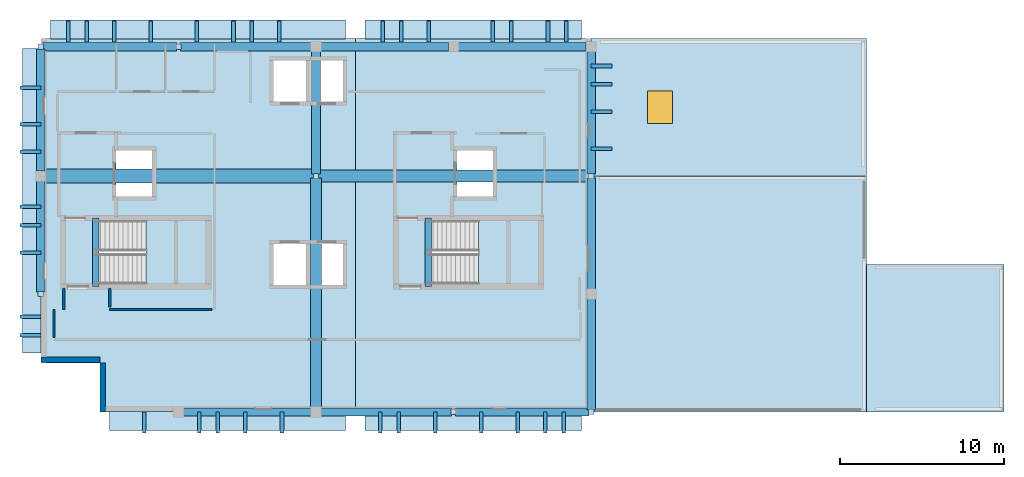
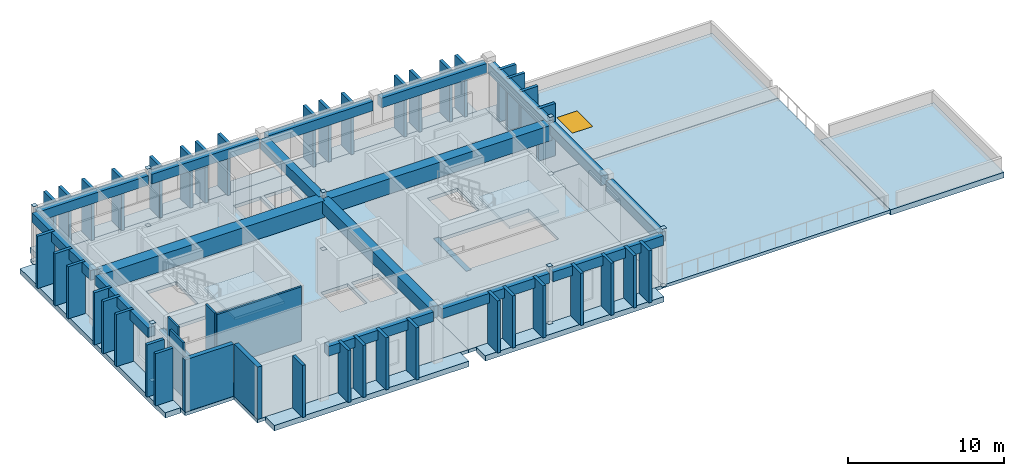
# One storey, part 2 of 7: 39 members, 18 beams, 14 plates, 12 slabs, 6 walls, 1 window, 1 opening, 2 elements without a shape of their own.
"""IFC4 building model written with IfcOpenShell, lengths in metres."""

from ifc_helpers import new_model, si_unit, direction, frame, frame_2d, origin, origin_2d, place, context, subcontext, project, spatial, polyline, rectangle, outline, extrude, material, layer, layer_set, material_profile, profile_set, type_object, element, fill, aggregate, save


model = new_model("IFC4")

# Units and contexts
model_context = context("Model", 3, precision=1e-05, world=origin(), true_north=direction((0.0, 1.0)))
body_context = subcontext(model_context, "Body", "Model", "MODEL_VIEW")
ifc_project = project(units=[si_unit("LENGTHUNIT", "METRE"), si_unit("AREAUNIT", "SQUARE_METRE"), si_unit("VOLUMEUNIT", "CUBIC_METRE"), si_unit("PLANEANGLEUNIT", "RADIAN"), si_unit("MASSUNIT", "GRAM", prefix="KILO")], contexts=[model_context])

# Site, building, storey
site_placement = place(None, origin())
site = spatial("IfcSite", under=ifc_project, at=site_placement, CompositionType="ELEMENT")
building_placement = place(site_placement, origin())
building = spatial("IfcBuilding", under=site, at=building_placement, Name="Quendrovan Civic Courthouse", CompositionType="ELEMENT")
storey_placement = place(building_placement, frame((0.0, 0.0, 40.199951171875)))
storey = spatial("IfcBuildingStorey", under=building, at=storey_placement, Name="L09", CompositionType="ELEMENT", Elevation=40.199951171875)

# Beams
ifc_material_1 = material(Name="Post-tensioned concrete C50/60", Category="concrete")
ifc_material_profile_1 = material_profile(ifc_material_1, rectangle(XDim=0.75, YDim=1.199951171875, at=origin_2d()), Name="PT-GIRD-750x1200")
ifc_profile_set_1 = profile_set([ifc_material_profile_1], Name="Post-tensioned concrete C50/60")
beam_type_1 = type_object("IfcBeamType", Name="BM-PT1200", PredefinedType="BEAM", material=ifc_profile_set_1)
beam_1_placement = place(storey_placement, frame((50.530029296875, 102.0, 3.4599609375), z_axis=(1.0, 0.0, 0.0), x_axis=(0.0, 1.0, 0.0)))
element("IfcBeam", 1, at=beam_1_placement, inside=storey, type_object=beam_type_1, Name="L09 Girder X1184", PredefinedType="BEAM", context=body_context, shape_type="SweptSolid", body=[
    extrude(rectangle(XDim=0.75, YDim=1.199951171875, at=origin_2d()), origin(), (0.0, 0.0, 1.0), 16.5400390625),
])
ifc_material_profile_2 = material_profile(ifc_material_1, rectangle(XDim=0.85009765625, YDim=1.300048828125, at=origin_2d()), Name="PT-GRD-850x1300")
ifc_profile_set_2 = profile_set([ifc_material_profile_2], Name="Post-tensioned concrete C50/60")
beam_type_2 = type_object("IfcBeamType", Name="BM-PT1300", PredefinedType="BEAM", material=ifc_profile_set_2)
beam_2_placement = place(storey_placement, frame((33.905029296875, 102.0, 3.41015625), z_axis=(1.0, 0.0, 0.0), x_axis=(0.0, 1.0, 0.0)))
element("IfcBeam", 2, at=beam_2_placement, inside=storey, type_object=beam_type_2, Name="L09 Girder X1183", PredefinedType="BEAM", context=body_context, shape_type="SweptSolid", body=[
    extrude(rectangle(XDim=0.85009765625, YDim=1.300048828125, at=origin_2d()), origin(), (0.0, 0.0, 1.0), 16.364990234375),
])
ifc_material_profile_3 = material_profile(ifc_material_1, rectangle(XDim=0.64990234375, YDim=0.949951171875, at=origin_2d()), Name="PT-GIRD-650x950")
ifc_profile_set_3 = profile_set([ifc_material_profile_3], Name="Post-tensioned concrete C50/60")
beam_type_3 = type_object("IfcBeamType", Name="BM-PT950", PredefinedType="BEAM", material=ifc_profile_set_3)
beam_3_placement = place(storey_placement, frame((50.39990234375, 87.905029296875, 3.5849609375), z_axis=(0.0, 1.0, 0.0), x_axis=(-1.0, 0.0, 0.0)))
element("IfcBeam", 3, at=beam_3_placement, inside=storey, type_object=beam_type_3, Name="L09 Girder Y1191", PredefinedType="BEAM", context=body_context, shape_type="SweptSolid", body=[
    extrude(rectangle(XDim=0.64990234375, YDim=0.949951171875, at=origin_2d()), origin(), (0.0, 0.0, 1.0), 13.965087890625),
])
ifc_material_2 = material(Name="Concrete C40/50", Category="concrete")
ifc_material_profile_4 = material_profile(ifc_material_2, rectangle(XDim=0.39990234375, YDim=0.64990234375, at=origin_2d()), Name="RC-BM-400x650")
ifc_profile_set_4 = profile_set([ifc_material_profile_4], Name="Concrete C40/50")
beam_type_4 = type_object("IfcBeamType", Name="BM-RC650", PredefinedType="JOIST", material=ifc_profile_set_4)
for number, where, z_axis, x_axis, name in (
    (4, (36.949951171875, 95.25, -0.324951171875), (0.0, 1.0, 0.0), (-1.0, 0.0, 0.0), "L09 Stair ST1 Landing Trimmer Beam"),
    (5, (57.25, 95.25, -0.324951171875), (0.0, 1.0, 0.0), (-1.0, 0.0, 0.0), "L09 Stair ST2 Landing Trimmer Beam"),
):
    element("IfcBeam", number, at=place(storey_placement, frame(where, z_axis=z_axis, x_axis=x_axis)), inside=storey, type_object=beam_type_4, Name=name, PredefinedType="JOIST", context=body_context, shape_type="SweptSolid", body=[
        extrude(rectangle(XDim=0.39990234375, YDim=0.64990234375, at=origin_2d()), origin(), (0.0, 0.0, 1.0), 4.199951171875),
    ])
ifc_material_profile_5 = material_profile(ifc_material_2, rectangle(XDim=0.5, YDim=0.75, at=origin_2d()), Name="RC-BM-500x750")
ifc_profile_set_5 = profile_set([ifc_material_profile_5], Name="Concrete C40/50")
beam_type_5 = type_object("IfcBeamType", Name="BM-RC750", PredefinedType="SPANDREL", material=ifc_profile_set_5)
beam_4_placement = place(storey_placement, frame((42.304931640625, 87.60009765625, 3.68505859375), z_axis=(1.0, 0.0, 0.0), x_axis=(0.0, 1.0, 0.0)))
element("IfcBeam", 6, at=beam_4_placement, inside=storey, type_object=beam_type_5, Name="L09 Girder X1180", PredefinedType="SPANDREL", context=body_context, shape_type="SweptSolid", body=[
    extrude(rectangle(XDim=0.5, YDim=0.75, at=origin_2d()), origin(), (0.0, 0.0, 1.0), 7.7900390625),
])
beam_5_placement = place(storey_placement, frame((50.705078125, 87.60009765625, 3.68505859375), z_axis=(1.0, 0.0, 0.0), x_axis=(0.0, 1.0, 0.0)))
element("IfcBeam", 7, at=beam_5_placement, inside=storey, type_object=beam_type_5, Name="L09 Girder X1181", PredefinedType="SPANDREL", context=body_context, shape_type="SweptSolid", body=[
    extrude(rectangle(XDim=0.5, YDim=0.75, at=origin_2d()), origin(), (0.0, 0.0, 1.0), 7.96484375),
])
for number, where, z_axis, x_axis, name in (
    (8, (58.929931640625, 87.60009765625, 3.68505859375), (1.0, 0.0, 0.0), (0.0, 1.0, 0.0), "L09 Girder X1182"),
    (9, (33.72998046875, 109.89990234375, 3.68505859375), (1.0, 0.0, 0.0), (0.0, 1.0, 0.0), "L09 Girder X1185"),
):
    element("IfcBeam", number, at=place(storey_placement, frame(where, z_axis=z_axis, x_axis=x_axis)), inside=storey, type_object=beam_type_5, Name=name, PredefinedType="SPANDREL", context=body_context, shape_type="SweptSolid", body=[
        extrude(rectangle(XDim=0.5, YDim=0.75, at=origin_2d()), origin(), (0.0, 0.0, 1.0), 8.14013671875),
    ])
beam_6_placement = place(storey_placement, frame((42.1298828125, 109.89990234375, 3.68505859375), z_axis=(1.0, 0.0, 0.0), x_axis=(0.0, 1.0, 0.0)))
element("IfcBeam", 10, at=beam_6_placement, inside=storey, type_object=beam_type_5, Name="L09 Girder X1186", PredefinedType="SPANDREL", context=body_context, shape_type="SweptSolid", body=[
    extrude(rectangle(XDim=0.5, YDim=0.75, at=origin_2d()), origin(), (0.0, 0.0, 1.0), 7.965087890625),
])
for number, where, z_axis, x_axis, name in (
    (11, (50.705078125, 109.89990234375, 3.68505859375), (1.0, 0.0, 0.0), (0.0, 1.0, 0.0), "L09 Girder X1187"),
    (12, (59.10498046875, 109.89990234375, 3.68505859375), (1.0, 0.0, 0.0), (0.0, 1.0, 0.0), "L09 Girder X1188"),
):
    element("IfcBeam", number, at=place(storey_placement, frame(where, z_axis=z_axis, x_axis=x_axis)), inside=storey, type_object=beam_type_5, Name=name, PredefinedType="SPANDREL", context=body_context, shape_type="SweptSolid", body=[
        extrude(rectangle(XDim=0.5, YDim=0.75, at=origin_2d()), origin(), (0.0, 0.0, 1.0), 7.7900390625),
    ])
beam_7_placement = place(storey_placement, frame((33.60009765625, 94.929931640625, 3.68505859375), z_axis=(0.0, 1.0, 0.0), x_axis=(-1.0, 0.0, 0.0)))
element("IfcBeam", 13, at=beam_7_placement, inside=storey, type_object=beam_type_5, Name="L09 Girder Y1189", PredefinedType="SPANDREL", context=body_context, shape_type="SweptSolid", body=[
    extrude(rectangle(XDim=0.5, YDim=0.75, at=origin_2d()), origin(), (0.0, 0.0, 1.0), 6.76513671875),
])
beam_8_placement = place(storey_placement, frame((33.60009765625, 102.304931640625, 3.68505859375), z_axis=(0.0, 1.0, 0.0), x_axis=(-1.0, 0.0, 0.0)))
element("IfcBeam", 14, at=beam_8_placement, inside=storey, type_object=beam_type_5, Name="L09 Girder Y1190", PredefinedType="SPANDREL", context=body_context, shape_type="SweptSolid", body=[
    extrude(rectangle(XDim=0.5, YDim=0.75, at=origin_2d()), origin(), (0.0, 0.0, 1.0), 7.465087890625),
])
for number, where, z_axis, x_axis, name in (
    (15, (67.199951171875, 87.72998046875, 3.68505859375), (0.0, 1.0, 0.0), (-1.0, 0.0, 0.0), "L09 Girder Y1193"),
    (16, (67.199951171875, 95.10498046875, 3.68505859375), (0.0, 1.0, 0.0), (-1.0, 0.0, 0.0), "L09 Girder Y1194"),
):
    element("IfcBeam", number, at=place(storey_placement, frame(where, z_axis=z_axis, x_axis=x_axis)), inside=storey, type_object=beam_type_5, Name=name, PredefinedType="SPANDREL", context=body_context, shape_type="SweptSolid", body=[
        extrude(rectangle(XDim=0.5, YDim=0.75, at=origin_2d()), origin(), (0.0, 0.0, 1.0), 6.76513671875),
    ])
beam_9_placement = place(storey_placement, frame((67.199951171875, 102.1298828125, 3.68505859375), z_axis=(0.0, 1.0, 0.0), x_axis=(-1.0, 0.0, 0.0)))
element("IfcBeam", 17, at=beam_9_placement, inside=storey, type_object=beam_type_5, Name="L09 Girder Y1195", PredefinedType="SPANDREL", context=body_context, shape_type="SweptSolid", body=[
    extrude(rectangle(XDim=0.5, YDim=0.75, at=origin_2d()), origin(), (0.0, 0.0, 1.0), 7.465087890625),
])
ifc_material_profile_6 = material_profile(ifc_material_2, rectangle(XDim=0.550048828125, YDim=0.800048828125, at=origin_2d()), Name="RC-BM-550x800")
ifc_profile_set_6 = profile_set([ifc_material_profile_6], Name="Concrete C40/50")
beam_type_6 = type_object("IfcBeamType", Name="BM-RC800", PredefinedType="BEAM", material=ifc_profile_set_6)
beam_10_placement = place(storey_placement, frame((50.39990234375, 102.1298828125, 3.66015625), z_axis=(0.0, 1.0, 0.0), x_axis=(-1.0, 0.0, 0.0)))
element("IfcBeam", 18, at=beam_10_placement, inside=storey, type_object=beam_type_6, Name="L09 Girder Y1192", PredefinedType="BEAM", context=body_context, shape_type="SweptSolid", body=[
    extrude(rectangle(XDim=0.550048828125, YDim=0.800048828125, at=origin_2d()), origin(), (0.0, 0.0, 1.0), 7.465087890625),
])

# Members
ifc_material_3 = material(Name="Precast concrete C45/55", Category="concrete")
ifc_material_profile_7 = material_profile(ifc_material_3, rectangle(XDim=0.219970703125, YDim=1.280029296875, at=origin_2d()), Name="PC-FIN-220x1280")
ifc_profile_set_7 = profile_set([ifc_material_profile_7], Name="Precast concrete C45/55")
member_type = type_object("IfcMemberType", Name="MEM-PC-FIN1280", PredefinedType="USERDEFINED", material=ifc_profile_set_7)
for number, where, z_axis, x_axis, name in (
    (19, (54.47998046875, 110.83203125, 0.0), (0.0, 0.0, 1.0), (1.0, 0.0, 0.0), "L09 Precast Concrete Facade Fin 0235"),
    (20, (55.60009765625, 110.83203125, 0.0), (0.0, 0.0, 1.0), (1.0, 0.0, 0.0), "L09 Precast Concrete Facade Fin 0236"),
    (21, (57.280029296875, 110.83203125, 0.0), (0.0, 0.0, 1.0), (1.0, 0.0, 0.0), "L09 Precast Concrete Facade Fin 0237"),
    (22, (61.199951171875, 110.83203125, 0.0), (0.0, 0.0, 1.0), (1.0, 0.0, 0.0), "L09 Precast Concrete Facade Fin 0238"),
    (23, (62.320068359375, 110.83203125, 0.0), (0.0, 0.0, 1.0), (1.0, 0.0, 0.0), "L09 Precast Concrete Facade Fin 0239"),
    (24, (64.56005859375, 110.83203125, 0.0), (0.0, 0.0, 1.0), (1.0, 0.0, 0.0), "L09 Precast Concrete Facade Fin 0240"),
    (25, (65.679931640625, 110.83203125, 0.0), (0.0, 0.0, 1.0), (1.0, 0.0, 0.0), "L09 Precast Concrete Facade Fin 0241"),
    (26, (67.83203125, 108.719970703125, 0.0), (0.0, 0.0, 1.0), (0.0, -1.0, 0.0), "L09 Precast Concrete Facade Fin 0242"),
    (27, (67.83203125, 107.60009765625, 0.0), (0.0, 0.0, 1.0), (0.0, -1.0, 0.0), "L09 Precast Concrete Facade Fin 0243"),
    (28, (67.83203125, 105.919921875, 0.0), (0.0, 0.0, 1.0), (0.0, -1.0, 0.0), "L09 Precast Concrete Facade Fin 0244"),
    (29, (67.83203125, 103.679931640625, 0.0), (0.0, 0.0, 1.0), (0.0, -1.0, 0.0), "L09 Precast Concrete Facade Fin 0245"),
    (30, (65.52001953125, 86.968017578125, 0.0), (0.0, 0.0, 1.0), (-1.0, 0.0, 0.0), "L09 Precast Concrete Facade Fin 0246"),
    (31, (64.39990234375, 86.968017578125, 0.0), (0.0, 0.0, 1.0), (-1.0, 0.0, 0.0), "L09 Precast Concrete Facade Fin 0247"),
    (32, (62.719970703125, 86.968017578125, 0.0), (0.0, 0.0, 1.0), (-1.0, 0.0, 0.0), "L09 Precast Concrete Facade Fin 0248"),
    (33, (60.47998046875, 86.968017578125, 0.0), (0.0, 0.0, 1.0), (-1.0, 0.0, 0.0), "L09 Precast Concrete Facade Fin 0249"),
    (34, (57.679931640625, 86.968017578125, 0.0), (0.0, 0.0, 1.0), (-1.0, 0.0, 0.0), "L09 Precast Concrete Facade Fin 0250"),
    (35, (55.43994140625, 86.968017578125, 0.0), (0.0, 0.0, 1.0), (-1.0, 0.0, 0.0), "L09 Precast Concrete Facade Fin 0251"),
    (36, (54.320068359375, 86.968017578125, 0.0), (0.0, 0.0, 1.0), (-1.0, 0.0, 0.0), "L09 Precast Concrete Facade Fin 0252"),
    (37, (48.320068359375, 86.968017578125, 0.0), (0.0, 0.0, 1.0), (-1.0, 0.0, 0.0), "L09 Precast Concrete Facade Fin 0253"),
    (38, (46.080078125, 86.968017578125, 0.0), (0.0, 0.0, 1.0), (-1.0, 0.0, 0.0), "L09 Precast Concrete Facade Fin 0254"),
    (39, (44.39990234375, 86.968017578125, 0.0), (0.0, 0.0, 1.0), (-1.0, 0.0, 0.0), "L09 Precast Concrete Facade Fin 0255"),
    (40, (43.280029296875, 86.968017578125, 0.0), (0.0, 0.0, 1.0), (-1.0, 0.0, 0.0), "L09 Precast Concrete Facade Fin 0256"),
    (41, (39.919921875, 86.968017578125, 0.0), (0.0, 0.0, 1.0), (-1.0, 0.0, 0.0), "L09 Precast Concrete Facade Fin 0257"),
    (42, (32.968017578125, 92.280029296875, 0.0), (0.0, 0.0, 1.0), (0.0, 1.0, 0.0), "L09 Precast Concrete Facade Fin 0258"),
    (43, (32.968017578125, 93.39990234375, 0.0), (0.0, 0.0, 1.0), (0.0, 1.0, 0.0), "L09 Precast Concrete Facade Fin 0259"),
    (44, (32.968017578125, 97.320068359375, 0.0), (0.0, 0.0, 1.0), (0.0, 1.0, 0.0), "L09 Precast Concrete Facade Fin 0260"),
    (45, (32.968017578125, 99.0, 0.0), (0.0, 0.0, 1.0), (0.0, 1.0, 0.0), "L09 Precast Concrete Facade Fin 0261"),
    (46, (32.968017578125, 100.1201171875, 0.0), (0.0, 0.0, 1.0), (0.0, 1.0, 0.0), "L09 Precast Concrete Facade Fin 0262"),
    (47, (32.968017578125, 103.47998046875, 0.0), (0.0, 0.0, 1.0), (0.0, 1.0, 0.0), "L09 Precast Concrete Facade Fin 0263"),
    (48, (32.968017578125, 105.159912109375, 0.0), (0.0, 0.0, 1.0), (0.0, 1.0, 0.0), "L09 Precast Concrete Facade Fin 0264"),
    (49, (32.968017578125, 107.39990234375, 0.0), (0.0, 0.0, 1.0), (0.0, 1.0, 0.0), "L09 Precast Concrete Facade Fin 0265"),
    (50, (35.280029296875, 110.83203125, 0.0), (0.0, 0.0, 1.0), (1.0, 0.0, 0.0), "L09 Precast Concrete Facade Fin 0266"),
    (51, (36.39990234375, 110.83203125, 0.0), (0.0, 0.0, 1.0), (1.0, 0.0, 0.0), "L09 Precast Concrete Facade Fin 0267"),
    (52, (38.080078125, 110.83203125, 0.0), (0.0, 0.0, 1.0), (1.0, 0.0, 0.0), "L09 Precast Concrete Facade Fin 0268"),
    (53, (40.320068359375, 110.83203125, 0.0), (0.0, 0.0, 1.0), (1.0, 0.0, 0.0), "L09 Precast Concrete Facade Fin 0269"),
    (54, (43.1201171875, 110.83203125, 0.0), (0.0, 0.0, 1.0), (1.0, 0.0, 0.0), "L09 Precast Concrete Facade Fin 0270"),
    (55, (45.360107421875, 110.83203125, 0.0), (0.0, 0.0, 1.0), (1.0, 0.0, 0.0), "L09 Precast Concrete Facade Fin 0271"),
    (56, (46.47998046875, 110.83203125, 0.0), (0.0, 0.0, 1.0), (1.0, 0.0, 0.0), "L09 Precast Concrete Facade Fin 0272"),
    (57, (48.159912109375, 110.83203125, 0.0), (0.0, 0.0, 1.0), (1.0, 0.0, 0.0), "L09 Precast Concrete Facade Fin 0273"),
):
    element("IfcMember", number, at=place(storey_placement, frame(where, z_axis=z_axis, x_axis=x_axis)), inside=storey, type_object=member_type, Name=name, ObjectType="PRECAST FACADE FIN", PredefinedType="USERDEFINED", context=body_context, shape_type="SweptSolid", body=[
        extrude(rectangle(XDim=0.219970703125, YDim=1.280029296875, at=origin_2d()), origin(), (0.0, 0.0, 1.0), 4.080078125),
    ])

# Plates
ifc_material_4 = material(Name="Steel ASTM A572 Grade 50", Category="steel")
ifc_layer_1 = layer(ifc_material_4, 0.011962890625, Name="Steel ASTM A572 Grade 50")
ifc_layer_set_1 = layer_set([ifc_layer_1], Name="Steel ASTM A572 Grade 50")
plate_type = type_object("IfcPlateType", Name="PLT-CAP-12", PredefinedType="SHEET", material=ifc_layer_set_1)
for number, where, z_axis, x_axis, name in (
    (58, (33.60009765625, 94.800048828125, 4.5), (0.0, 0.0, 1.0), (1.0, 0.0, 0.0), "L09 Hollow Column End Cap Plate COL-L09-5-N-TOP"),
    (59, (33.60009765625, 94.800048828125, -0.01171875), (0.0, 0.0, 1.0), (1.0, 0.0, 0.0), "L09 Hollow Column End Cap Plate COL-L09-5-N-BOT"),
    (60, (33.60009765625, 109.89990234375, 4.5), (0.0, 0.0, 1.0), (1.0, 0.0, 0.0), "L09 Hollow Column End Cap Plate COL-L09-5-Q-TOP"),
    (61, (33.60009765625, 109.89990234375, -0.01171875), (0.0, 0.0, 1.0), (1.0, 0.0, 0.0), "L09 Hollow Column End Cap Plate COL-L09-5-Q-BOT"),
    (62, (42.0, 109.89990234375, 4.5), (0.0, 0.0, 1.0), (1.0, 0.0, 0.0), "L09 Hollow Column End Cap Plate COL-L09-6-Q-TOP"),
    (63, (42.0, 109.89990234375, -0.01171875), (0.0, 0.0, 1.0), (1.0, 0.0, 0.0), "L09 Hollow Column End Cap Plate COL-L09-6-Q-BOT"),
    (64, (50.39990234375, 102.0, 4.5), (0.0, 0.0, 1.0), (1.0, 0.0, 0.0), "L09 Hollow Column End Cap Plate COL-L09-7-P-TOP"),
    (65, (50.39990234375, 102.0, -0.01171875), (0.0, 0.0, 1.0), (1.0, 0.0, 0.0), "L09 Hollow Column End Cap Plate COL-L09-7-P-BOT"),
    (66, (58.800048828125, 87.60009765625, 4.5), (0.0, 0.0, 1.0), (1.0, 0.0, 0.0), "L09 Hollow Column End Cap Plate COL-L09-8-M-TOP"),
    (67, (58.800048828125, 87.60009765625, -0.01171875), (0.0, 0.0, 1.0), (1.0, 0.0, 0.0), "L09 Hollow Column End Cap Plate COL-L09-8-M-BOT"),
    (68, (67.199951171875, 87.60009765625, 4.5), (0.0, 0.0, 1.0), (1.0, 0.0, 0.0), "L09 Hollow Column End Cap Plate COL-L09-9-M-TOP"),
    (69, (67.199951171875, 87.60009765625, -0.01171875), (0.0, 0.0, 1.0), (1.0, 0.0, 0.0), "L09 Hollow Column End Cap Plate COL-L09-9-M-BOT"),
    (70, (67.199951171875, 102.0, 4.5), (0.0, 0.0, 1.0), (1.0, 0.0, 0.0), "L09 Hollow Column End Cap Plate COL-L09-9-P-TOP"),
    (71, (67.199951171875, 102.0, -0.01171875), (0.0, 0.0, 1.0), (1.0, 0.0, 0.0), "L09 Hollow Column End Cap Plate COL-L09-9-P-BOT"),
):
    element("IfcPlate", number, at=place(storey_placement, frame(where, z_axis=z_axis, x_axis=x_axis)), inside=storey, type_object=plate_type, Name=name, PredefinedType="SHEET", context=body_context, shape_type="SweptSolid", body=[
        extrude(rectangle(XDim=0.320068359375, YDim=0.320068359375, at=origin_2d()), origin(), (0.0, 0.0, 1.0), 0.011962890625),
    ])

# Slabs
ifc_material_5 = material(Name="Precast limestone concrete C45/55", Category="masonry")
ifc_layer_2 = layer(ifc_material_5, 0.419921875, Name="Precast limestone concrete C45/55")
ifc_layer_set_2 = layer_set([ifc_layer_2], Name="Precast limestone concrete C45/55")
slab_type_1 = type_object("IfcSlabType", Name="SLB-LEDGE-420", PredefinedType="FLOOR", material=ifc_layer_set_2)
slab_1_placement = place(storey_placement, frame((0.0, 0.0, -0.419921875)))
element("IfcSlab", 72, at=slab_1_placement, inside=storey, type_object=slab_type_1, Name="L09 Precast Architectural Spandrel Fin Shelf 523-0", PredefinedType="FLOOR", context=body_context, shape_type="SweptSolid", body=[
    extrude(outline(polyline([(53.39990234375, 111.528076171875), (66.60009765625, 111.528076171875), (66.60009765625, 110.3779296875), (53.39990234375, 110.3779296875), (53.39990234375, 111.528076171875)])), origin(), (0.0, 0.0, 1.0), 0.419921875),
])
slab_2_placement = place(storey_placement, frame((0.0, 0.0, -0.419921875)))
element("IfcSlab", 73, at=slab_2_placement, inside=storey, type_object=slab_type_1, Name="L09 Precast Architectural Spandrel Fin Shelf 525-0", PredefinedType="FLOOR", context=body_context, shape_type="SweptSolid", body=[
    extrude(outline(polyline([(66.60009765625, 86.471923828125), (53.39990234375, 86.471923828125), (53.39990234375, 87.6220703125), (66.60009765625, 87.6220703125), (66.60009765625, 86.471923828125)])), origin(), (0.0, 0.0, 1.0), 0.419921875),
])
slab_3_placement = place(storey_placement, frame((0.0, 0.0, -0.419921875)))
element("IfcSlab", 74, at=slab_3_placement, inside=storey, type_object=slab_type_1, Name="L09 Precast Architectural Spandrel Fin Shelf 526-0", PredefinedType="FLOOR", context=body_context, shape_type="SweptSolid", body=[
    extrude(outline(polyline([(52.199951171875, 86.471923828125), (37.800048828125, 86.471923828125), (37.800048828125, 87.6220703125), (52.199951171875, 87.6220703125), (52.199951171875, 86.471923828125)])), origin(), (0.0, 0.0, 1.0), 0.419921875),
])
slab_4_placement = place(storey_placement, frame((0.0, 0.0, -0.419921875)))
element("IfcSlab", 75, at=slab_4_placement, inside=storey, type_object=slab_type_1, Name="L09 Precast Architectural Spandrel Fin Shelf 529-0", PredefinedType="FLOOR", context=body_context, shape_type="SweptSolid", body=[
    extrude(outline(polyline([(32.471923828125, 91.199951171875), (32.471923828125, 109.800048828125), (33.6220703125, 109.800048828125), (33.6220703125, 91.199951171875), (32.471923828125, 91.199951171875)])), origin(), (0.0, 0.0, 1.0), 0.419921875),
])
slab_5_placement = place(storey_placement, frame((0.0, 0.0, -0.419921875)))
element("IfcSlab", 76, at=slab_5_placement, inside=storey, type_object=slab_type_1, Name="L09 Precast Architectural Spandrel Fin Shelf 530-0", PredefinedType="FLOOR", context=body_context, shape_type="SweptSolid", body=[
    extrude(outline(polyline([(34.199951171875, 111.528076171875), (52.199951171875, 111.528076171875), (52.199951171875, 110.3779296875), (34.199951171875, 110.3779296875), (34.199951171875, 111.528076171875)])), origin(), (0.0, 0.0, 1.0), 0.419921875),
])
ifc_layer_3 = layer(ifc_material_2, 0.260009765625, Name="Concrete C40/50")
ifc_layer_set_3 = layer_set([ifc_layer_3], Name="Concrete C40/50")
slab_type_2 = type_object("IfcSlabType", Name="SLB-RC-260", PredefinedType="FLOOR", material=ifc_layer_set_3)
slab_6_placement = place(storey_placement, frame((0.0, 0.0, -0.260009765625)))
element("IfcSlab", 77, at=slab_6_placement, inside=storey, type_object=slab_type_2, Name="L09 Structural Floor Slab V2W", PredefinedType="FLOOR", context=body_context, shape_type="SweptSolid", body=[
    extrude(outline(polyline([(52.800048828125, 110.39990234375), (52.800048828125, 87.60009765625), (37.199951171875, 87.60009765625), (37.199951171875, 90.60009765625), (33.60009765625, 90.60009765625), (33.60009765625, 110.39990234375), (52.800048828125, 110.39990234375)]), holes=[polyline([(47.800048828125, 97.85009765625), (47.800048828125, 95.35009765625), (49.800048828125, 95.35009765625), (49.800048828125, 97.85009765625), (47.800048828125, 97.85009765625)]), polyline([(52.050048828125, 97.85009765625), (50.050048828125, 97.85009765625), (50.050048828125, 95.35009765625), (52.050048828125, 95.35009765625), (52.050048828125, 97.85009765625)]), polyline([(43.699951171875, 99.280029296875), (36.949951171875, 99.280029296875), (36.949951171875, 95.39990234375), (43.699951171875, 95.39990234375), (43.699951171875, 99.280029296875)]), polyline([(38.199951171875, 103.550048828125), (38.199951171875, 100.75), (40.39990234375, 100.75), (40.39990234375, 103.550048828125), (38.199951171875, 103.550048828125)]), polyline([(49.800048828125, 109.050048828125), (47.800048828125, 109.050048828125), (47.800048828125, 106.550048828125), (49.800048828125, 106.550048828125), (49.800048828125, 109.050048828125)]), polyline([(52.050048828125, 109.050048828125), (50.050048828125, 109.050048828125), (50.050048828125, 106.550048828125), (52.050048828125, 106.550048828125), (52.050048828125, 109.050048828125)])]), origin(), (0.0, 0.0, 1.0), 0.260009765625),
])
slab_7_placement = place(storey_placement, frame((0.0, 0.0, -0.260009765625)))
element("IfcSlab", 78, at=slab_7_placement, inside=storey, type_object=slab_type_2, Name="L09 Structural Floor Slab V2E", PredefinedType="FLOOR", context=body_context, shape_type="SweptSolid", body=[
    extrude(outline(polyline([(52.800048828125, 87.60009765625), (52.800048828125, 110.39990234375), (67.199951171875, 110.39990234375), (67.199951171875, 87.60009765625), (52.800048828125, 87.60009765625)]), holes=[polyline([(57.25, 95.39990234375), (64.0, 95.39990234375), (64.0, 99.280029296875), (57.25, 99.280029296875), (57.25, 95.39990234375)]), polyline([(59.0, 100.75), (61.199951171875, 100.75), (61.199951171875, 103.550048828125), (59.0, 103.550048828125), (59.0, 100.75)])]), origin(), (0.0, 0.0, 1.0), 0.260009765625),
])
ifc_material_6 = material(Name="Concrete C45/55", Category="concrete")
ifc_layer_4 = layer(ifc_material_6, 0.419921875, Name="Concrete C45/55")
ifc_layer_set_4 = layer_set([ifc_layer_4], Name="Concrete C45/55")
slab_type_3 = type_object("IfcSlabType", Name="SLB-ROOF-420", PredefinedType="ROOF", material=ifc_layer_set_4)
slab_8_placement = place(storey_placement, frame((0.0, 0.0, -0.419921875)))
element("IfcSlab", 79, at=slab_8_placement, inside=storey, type_object=slab_type_3, Name="L09 Step-Back Structural Roof Slab SLB-ROOF-L09-25", PredefinedType="ROOF", context=body_context, shape_type="SweptSolid", body=[
    extrude(outline(polyline([(92.39990234375, 96.60009765625), (92.39990234375, 87.60009765625), (84.02001953125, 87.60009765625), (84.02001953125, 96.60009765625), (92.39990234375, 96.60009765625)])), origin(), (0.0, 0.0, 1.0), 0.419921875),
])

# Slab, opening, window
slab_9_placement = place(storey_placement, frame((0.0, 0.0, -0.419921875)))
slab_9 = element("IfcSlab", 80, at=slab_9_placement, inside=storey, type_object=slab_type_3, Name="L09 Step-Back Structural Roof Slab SLB-ROOF-L09-26", PredefinedType="ROOF", context=body_context, shape_type="SweptSolid", body=[
    extrude(outline(polyline([(84.0, 110.39990234375), (84.0, 102.02001953125), (67.199951171875, 102.02001953125), (67.199951171875, 110.39990234375), (84.0, 110.39990234375)])), origin(), (0.0, 0.0, 1.0), 0.419921875),
])
opening_placement = place(slab_9_placement, frame((71.39990234375, 106.199951171875, 0.0)))
opening = element("IfcOpeningElement", 81, at=opening_placement, cuts=slab_9, Name="Opening RH4", PredefinedType="OPENING", context=body_context, shape_type="SweptSolid", body=[
    extrude(rectangle(XDim=1.5, YDim=2.0, at=origin_2d()), frame((0.0, 0.0, -0.010009765625)), (0.0, 0.0, 1.0), 0.43994140625),
])
ifc_material_7 = material(Name="Laminated hurricane-impact low-E glass", Category="glass")
window_type = type_object("IfcWindowType", Name="WIN-HATCH-4", PartitioningType="SINGLE_PANEL", PredefinedType="SKYLIGHT", material=ifc_material_7)
window_placement = place(opening_placement, frame((0.0, 0.0, 0.369873046875)))
window = element("IfcWindow", 82, at=window_placement, inside=storey, type_object=window_type, Name="L09 Smoke-Venting Roof Access Skylight Hatch RH-08", OverallHeight=2.0, OverallWidth=1.5, PartitioningType="SINGLE_PANEL", PredefinedType="SKYLIGHT", context=body_context, shape_type="SweptSolid", body=[
    extrude(rectangle(XDim=1.5, YDim=2.0, at=origin_2d()), origin(), (0.0, 0.0, 1.0), 0.050048828125),
])
fill(opening, window)

# Stair, slab
stair_type = type_object("IfcStairType", Name="STR-CORE-4500", PredefinedType="HALF_TURN_STAIR", material=ifc_material_2)
stair_1_placement = place(storey_placement, origin())
stair_1 = element("IfcStair", 83, at=stair_1_placement, inside=storey, type_object=stair_type, Name="L09 West Judicial and Public Exit Stair 1", PredefinedType="HALF_TURN_STAIR")
ifc_layer_5 = layer(ifc_material_2, 0.199951171875, Name="Concrete C40/50")
ifc_layer_set_5 = layer_set([ifc_layer_5], Name="Concrete C40/50")
slab_type_4 = type_object("IfcSlabType", Name="SLB-STAIR-LND200", PredefinedType="LANDING", material=ifc_layer_set_5)
slab_10_placement = place(storey_placement, frame((0.0, 0.0, 2.050048828125)))
slab_10 = element("IfcSlab", 84, at=slab_10_placement, type_object=slab_type_4, Name="ST1 landing 1", PredefinedType="LANDING", context=body_context, shape_type="SweptSolid", body=[
    extrude(outline(polyline([(40.030029296875, 95.39990234375), (43.699951171875, 95.39990234375), (43.699951171875, 99.280029296875), (40.030029296875, 99.280029296875), (40.030029296875, 95.39990234375)])), origin(), (0.0, 0.0, 1.0), 0.199951171875),
])
aggregate(stair_1, [slab_10])

stair_2_placement = place(storey_placement, origin())
stair_2 = element("IfcStair", 85, at=stair_2_placement, inside=storey, type_object=stair_type, Name="L09 Central Judicial and Firefighting Exit Stair 2", PredefinedType="HALF_TURN_STAIR")
slab_11_placement = place(storey_placement, frame((0.0, 0.0, 2.050048828125)))
slab_11 = element("IfcSlab", 86, at=slab_11_placement, type_object=slab_type_4, Name="ST2 landing 1", PredefinedType="LANDING", context=body_context, shape_type="SweptSolid", body=[
    extrude(outline(polyline([(60.330078125, 95.39990234375), (64.0, 95.39990234375), (64.0, 99.280029296875), (60.330078125, 99.280029296875), (60.330078125, 95.39990234375)])), origin(), (0.0, 0.0, 1.0), 0.199951171875),
])
aggregate(stair_2, [slab_11])

# Slab
ifc_layer_6 = layer(ifc_material_2, 0.239990234375, Name="Concrete C40/50")
ifc_layer_set_6 = layer_set([ifc_layer_6], Name="Concrete C40/50")
slab_type_5 = type_object("IfcSlabType", Name="SLB-TER-240", PredefinedType="FLOOR", material=ifc_layer_set_6)
slab_12_placement = place(storey_placement, frame((0.0, 0.0, -0.239990234375)))
element("IfcSlab", 87, at=slab_12_placement, inside=storey, type_object=slab_type_5, Name="L09 Exterior Judicial Terrace Slab TER-L09-APP", PredefinedType="FLOOR", context=body_context, shape_type="SweptSolid", body=[
    extrude(outline(polyline([(84.0, 87.60009765625), (84.0, 102.0), (67.199951171875, 102.0), (67.199951171875, 87.60009765625), (84.0, 87.60009765625)])), origin(), (0.0, 0.0, 1.0), 0.239990234375),
])

# Walls
ifc_material_8 = material(Name="Acoustic gypsum stud partition")
ifc_layer_7 = layer(ifc_material_8, 0.139892578125, Name="Acoustic gypsum stud partition")
ifc_layer_set_7 = layer_set([ifc_layer_7], Name="Acoustic gypsum stud partition")
wall_type_1 = type_object("IfcWallType", Name="WL-CHM-140", PredefinedType="PARTITIONING", material=ifc_layer_set_7)
wall_1_placement = place(storey_placement, frame((44.050048828125, 93.85009765625, 0.0), z_axis=(0.0, 0.0, 1.0), x_axis=(-1.0, 0.0, 0.0)))
element("IfcWall", 88, at=wall_1_placement, inside=storey, type_object=wall_type_1, Name="L09 Collegial Judges' Chambers Partition 0907", PredefinedType="PARTITIONING", context=body_context, shape_type="SweptSolid", body=[
    extrude(rectangle(XDim=6.25, YDim=0.139892578125, at=frame_2d((3.125, 0.0))), origin(), (0.0, 0.0, 1.0), 4.239990234375),
])
wall_2_placement = place(storey_placement, frame((34.39990234375, 93.85009765625, 0.0), z_axis=(0.0, 0.0, 1.0), x_axis=(0.0, -1.0, 0.0)))
element("IfcWall", 89, at=wall_2_placement, inside=storey, type_object=wall_type_1, Name="L09 Collegial Judges' Chambers Partition 0923", PredefinedType="PARTITIONING", context=body_context, shape_type="SweptSolid", body=[
    extrude(rectangle(XDim=1.7001953125, YDim=0.139892578125, at=frame_2d((0.85009765625, 0.0))), origin(), (0.0, 0.0, 1.0), 4.239990234375),
])
wall_3_placement = place(storey_placement, frame((37.800048828125, 94.0, 0.0), z_axis=(0.0, 0.0, 1.0), x_axis=(0.0, 1.0, 0.0)))
element("IfcWall", 90, at=wall_3_placement, inside=storey, type_object=wall_type_1, Name="L09 Collegial Judges' Chambers Partition 0925", PredefinedType="PARTITIONING", context=body_context, shape_type="SweptSolid", body=[
    extrude(rectangle(XDim=1.179931640625, YDim=0.139892578125, at=frame_2d((0.58984375, 0.0))), origin(), (0.0, 0.0, 1.0), 4.239990234375),
])
wall_4_placement = place(storey_placement, frame((35.0, 95.179931640625, 0.0), z_axis=(0.0, 0.0, 1.0), x_axis=(0.0, -1.0, 0.0)))
element("IfcWall", 91, at=wall_4_placement, inside=storey, type_object=wall_type_1, Name="L09 Collegial Judges' Chambers Partition 0926", PredefinedType="PARTITIONING", context=body_context, shape_type="SweptSolid", body=[
    extrude(rectangle(XDim=1.329833984375, YDim=0.139892578125, at=frame_2d((0.6650390625, 0.0))), origin(), (0.0, 0.0, 1.0), 4.239990234375),
])
ifc_layer_8 = layer(ifc_material_3, 0.320068359375, Name="Precast concrete C45/55")
ifc_layer_set_8 = layer_set([ifc_layer_8], Name="Precast concrete C45/55")
wall_type_2 = type_object("IfcWallType", Name="WL-EXT-PC320", PredefinedType="SOLIDWALL", material=ifc_layer_set_8)
wall_5_placement = place(storey_placement, frame((37.3798828125, 87.60009765625, 0.0), z_axis=(0.0, 0.0, 1.0), x_axis=(0.0, 1.0, 0.0)))
element("IfcWall", 92, at=wall_5_placement, inside=storey, type_object=wall_type_2, Name="L09 Exterior Precast Concrete Wall 527", PredefinedType="SOLIDWALL", context=body_context, shape_type="SweptSolid", body=[
    extrude(rectangle(XDim=3.0, YDim=0.320068359375, at=frame_2d((1.5, 0.0))), origin(), (0.0, 0.0, 1.0), 4.080078125),
])
wall_6_placement = place(storey_placement, frame((37.199951171875, 90.780029296875, 0.0), z_axis=(0.0, 0.0, 1.0), x_axis=(-1.0, 0.0, 0.0)))
element("IfcWall", 93, at=wall_6_placement, inside=storey, type_object=wall_type_2, Name="L09 Exterior Precast Concrete Wall 528", PredefinedType="SOLIDWALL", context=body_context, shape_type="SweptSolid", body=[
    extrude(rectangle(XDim=3.599853515625, YDim=0.320068359375, at=frame_2d((1.7998046875, 0.0))), origin(), (0.0, 0.0, 1.0), 4.080078125),
])

save(model, "model.ifc")
